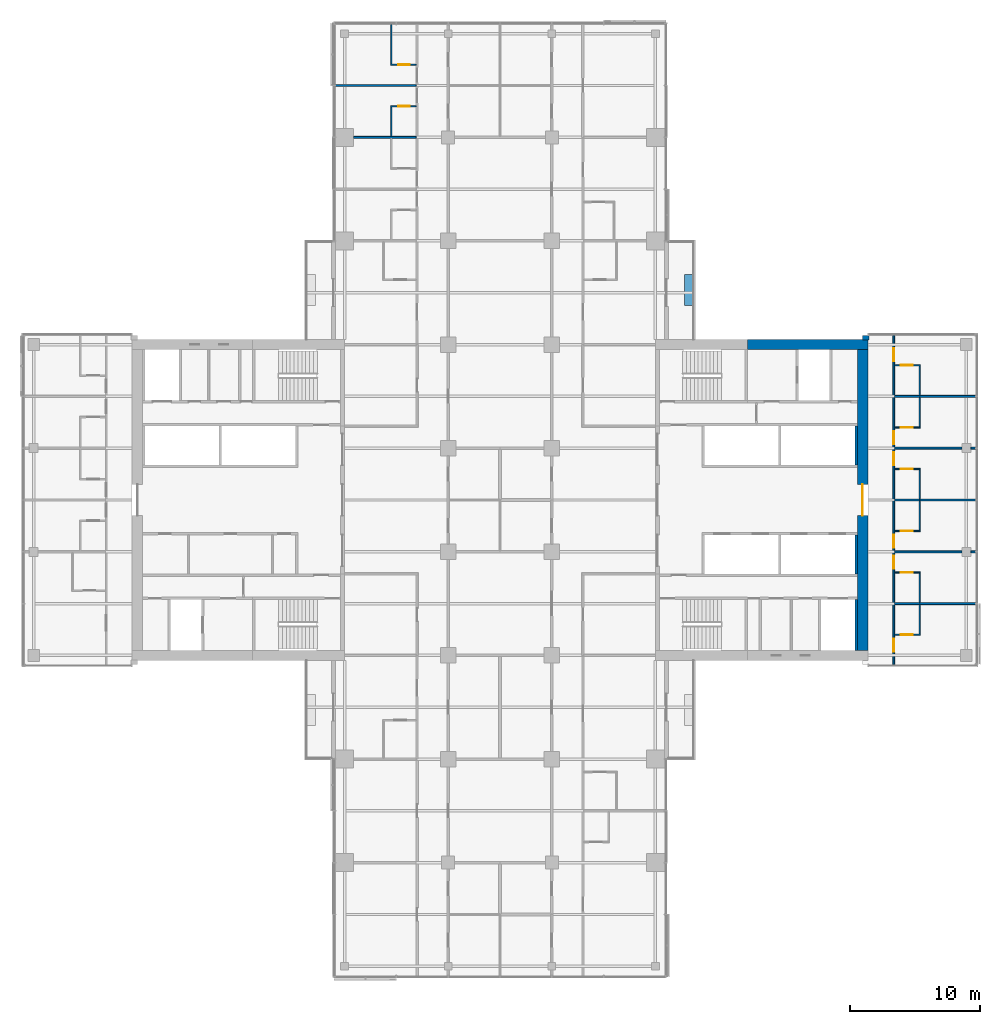
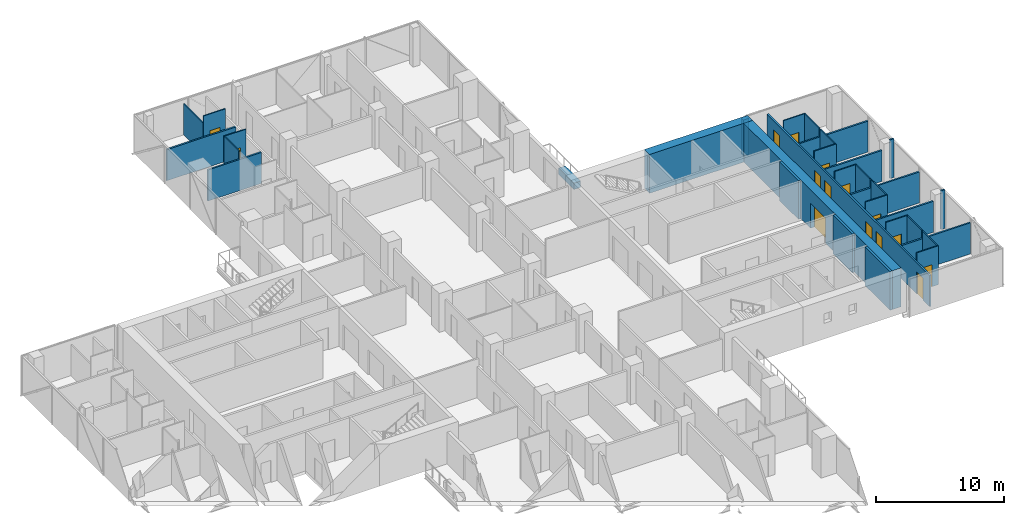
# One storey, part 21 of 27: 33 walls, 15 doors, 15 openings.
"""IFC4 building model written with IfcOpenShell, lengths in metres."""

from ifc_helpers import new_model, si_unit, direction, frame, frame_2d, origin, place, context, subcontext, project, spatial, rectangle, extrude, material, layer, layer_set, constituent, constituent_set, type_object, element, fill, save


model = new_model("IFC4")

# Units and contexts
model_context = context("Model", 3, precision=1e-05, world=origin(), true_north=direction((0.0, 1.0)))
body_context = subcontext(model_context, "Body", "Model", "MODEL_VIEW")
ifc_project = project(units=[si_unit("LENGTHUNIT", "METRE"), si_unit("AREAUNIT", "SQUARE_METRE"), si_unit("VOLUMEUNIT", "CUBIC_METRE"), si_unit("PLANEANGLEUNIT", "RADIAN"), si_unit("MASSUNIT", "GRAM", prefix="KILO")], contexts=[model_context])

# Site, building, storey
site_placement = place(None, origin())
site = spatial("IfcSite", under=ifc_project, at=site_placement, CompositionType="ELEMENT")
building_placement = place(site_placement, origin())
building = spatial("IfcBuilding", under=site, at=building_placement, Name="Crosswind Convention Tower", CompositionType="ELEMENT")
storey_placement = place(building_placement, frame((0.0, 0.0, 86.800048828125)))
storey = spatial("IfcBuildingStorey", under=building, at=storey_placement, Name="L16", CompositionType="ELEMENT", Elevation=86.800048828125)

# Wall, opening, door
ifc_material_1 = material(Name="Concrete C60/75", Category="concrete")
ifc_layer_1 = layer(ifc_material_1, 0.800048828125)
ifc_layer_set_1 = layer_set([ifc_layer_1], Name="Concrete C60/75")
wall_type_1 = type_object("IfcWallType", Name="Concrete core wall 800", PredefinedType="SHEAR", material=ifc_layer_set_1)
wall_1_placement = place(storey_placement, frame((153.0, 88.39990234375, 0.0), z_axis=(0.0, 0.0, 1.0), x_axis=(0.0, 1.0, 0.0)))
wall_1 = element("IfcWall", 1, at=wall_1_placement, inside=storey, type_object=wall_type_1, Name="Wall O E L16", PredefinedType="SHEAR", context=body_context, shape_type="SweptSolid", body=[
    extrude(rectangle(XDim=23.2001953125, YDim=0.800048828125, at=frame_2d((11.60009765625, 0.0))), origin(), (0.0, 0.0, 1.0), 3.699951171875),
])
opening_1_placement = place(wall_1_placement, frame((10.39990234375, 0.0, 0.0)))
opening_1 = element("IfcOpeningElement", 2, at=opening_1_placement, cuts=wall_1, Name="Opening D100", PredefinedType="OPENING", context=body_context, shape_type="SweptSolid", body=[
    extrude(rectangle(XDim=2.39990234375, YDim=2.39990234375, at=frame_2d((1.199951171875, 1.199951171875))), frame((0.0, 0.409912109375, 0.0), z_axis=(0.0, -1.0, 0.0), x_axis=(1.0, 0.0, 0.0)), (0.0, 0.0, 1.0), 0.820068359375),
])
ifc_material_2 = material(Name="Steel fire door with glazed vision panels", Category="steel")
door_type_1 = type_object("IfcDoorType", Name="Fire-rated double door 2400x2400", OperationType="DOUBLE_DOOR_SINGLE_SWING", PredefinedType="DOOR", material=ifc_material_2)
door_1_placement = place(opening_1_placement, origin())
door_1 = element("IfcDoor", 3, at=door_1_placement, inside=storey, type_object=door_type_1, Name="Lobby outer door L16", ObjectType="D100", OperationType="DOUBLE_DOOR_SINGLE_SWING", OverallHeight=2.39990234375, OverallWidth=2.39990234375, PredefinedType="DOOR", context=body_context, shape_type="SweptSolid", body=[
    extrude(rectangle(XDim=2.39990234375, YDim=2.39990234375, at=frame_2d((1.199951171875, 1.199951171875))), frame((0.0, 0.02490234375, 0.0), z_axis=(0.0, -1.0, 0.0), x_axis=(1.0, 0.0, 0.0)), (0.0, 0.0, 1.0), 0.050048828125),
])
fill(opening_1, door_1)

# Walls
ifc_material_3 = material(Name="Concrete C50/60", Category="concrete")
ifc_layer_2 = layer(ifc_material_3, 0.199951171875)
ifc_layer_set_2 = layer_set([ifc_layer_2], Name="Concrete C50/60")
wall_type_2 = type_object("IfcWallType", Name="Concrete shaft and stair wall 200", PredefinedType="SHEAR", material=ifc_layer_set_2)
for number, where, z_axis, x_axis, name in (
    (4, (152.5, 102.699951171875, 0.0), (0.0, 0.0, 1.0), (0.0, 1.0, 0.0), "Wall RPEAST E L16"),
    (5, (152.5, 94.300048828125, 0.0), (0.0, 0.0, 1.0), (0.0, 1.0, 0.0), "Wall RMEAST E L16"),
):
    element("IfcWall", number, at=place(storey_placement, frame(where, z_axis=z_axis, x_axis=x_axis)), inside=storey, type_object=wall_type_2, Name=name, PredefinedType="SHEAR", context=body_context, shape_type="SweptSolid", body=[
        extrude(rectangle(XDim=3.0, YDim=0.199951171875, at=frame_2d((1.5, 0.0))), origin(), (0.0, 0.0, 1.0), 3.699951171875),
    ])
wall_2_placement = place(storey_placement, frame((152.5, 88.39990234375, 0.0), z_axis=(0.0, 0.0, 1.0), x_axis=(0.0, 1.0, 0.0)))
element("IfcWall", 6, at=wall_2_placement, inside=storey, type_object=wall_type_2, Name="Wall MFSE E L16", PredefinedType="SHEAR", context=body_context, shape_type="SweptSolid", body=[
    extrude(rectangle(XDim=3.900146484375, YDim=0.199951171875, at=frame_2d((1.9501953125, 0.0))), origin(), (0.0, 0.0, 1.0), 3.699951171875),
])
ifc_material_4 = material(Name="Acoustic plasterboard partition", Category="gypsum")
ifc_layer_3 = layer(ifc_material_4, 0.14990234375)
ifc_layer_set_3 = layer_set([ifc_layer_3], Name="GUEST ROOM WALL 150")
wall_type_3 = type_object("IfcWallType", Name="GUEST ROOM WALL 150", PredefinedType="PARTITIONING", material=ifc_layer_set_3)
wall_3_placement = place(storey_placement, frame((155.47509765625, 92.0, 0.0), z_axis=(0.0, 0.0, 1.0), x_axis=(1.0, 0.0, 0.0)))
element("IfcWall", 7, at=wall_3_placement, inside=storey, type_object=wall_type_3, Name="Guest Room Wall 16", PredefinedType="PARTITIONING", context=body_context, shape_type="SweptSolid", body=[
    extrude(rectangle(XDim=6.224853515625, YDim=0.14990234375, at=frame_2d((3.1123046875, 0.0))), origin(), (0.0, 0.0, 1.0), 2.962646484375),
])
wall_4_placement = place(storey_placement, frame((155.47509765625, 96.0, 0.0), z_axis=(0.0, 0.0, 1.0), x_axis=(1.0, 0.0, 0.0)))
element("IfcWall", 8, at=wall_4_placement, inside=storey, type_object=wall_type_3, Name="Guest Room Wall 24", PredefinedType="PARTITIONING", context=body_context, shape_type="SweptSolid", body=[
    extrude(rectangle(XDim=5.1748046875, YDim=0.14990234375, at=frame_2d((2.58740234375, 0.0))), origin(), (0.0, 0.0, 1.0), 2.956298828125),
])
wall_5_placement = place(storey_placement, frame((161.35009765625, 96.0, 0.0), z_axis=(0.0, 0.0, 1.0), x_axis=(1.0, 0.0, 0.0)))
element("IfcWall", 9, at=wall_5_placement, inside=storey, type_object=wall_type_3, Name="Guest Room Wall 25", PredefinedType="PARTITIONING", context=body_context, shape_type="SweptSolid", body=[
    extrude(rectangle(XDim=0.349853515625, YDim=0.14990234375, at=frame_2d((0.1748046875, 0.0))), origin(), (0.0, 0.0, 1.0), 3.699951171875),
])
wall_6_placement = place(storey_placement, frame((155.47509765625, 100.0, 0.0), z_axis=(0.0, 0.0, 1.0), x_axis=(1.0, 0.0, 0.0)))
element("IfcWall", 10, at=wall_6_placement, inside=storey, type_object=wall_type_3, Name="Guest Room Wall 31", PredefinedType="PARTITIONING", context=body_context, shape_type="SweptSolid", body=[
    extrude(rectangle(XDim=6.224853515625, YDim=0.14990234375, at=frame_2d((3.1123046875, 0.0))), origin(), (0.0, 0.0, 1.0), 2.962646484375),
])
wall_7_placement = place(storey_placement, frame((155.47509765625, 104.0, 0.0), z_axis=(0.0, 0.0, 1.0), x_axis=(1.0, 0.0, 0.0)))
element("IfcWall", 11, at=wall_7_placement, inside=storey, type_object=wall_type_3, Name="Guest Room Wall 38", PredefinedType="PARTITIONING", context=body_context, shape_type="SweptSolid", body=[
    extrude(rectangle(XDim=5.1748046875, YDim=0.14990234375, at=frame_2d((2.58740234375, 0.0))), origin(), (0.0, 0.0, 1.0), 2.956298828125),
])
wall_8_placement = place(storey_placement, frame((161.35009765625, 104.0, 0.0), z_axis=(0.0, 0.0, 1.0), x_axis=(1.0, 0.0, 0.0)))
element("IfcWall", 12, at=wall_8_placement, inside=storey, type_object=wall_type_3, Name="Guest Room Wall 39", PredefinedType="PARTITIONING", context=body_context, shape_type="SweptSolid", body=[
    extrude(rectangle(XDim=0.349853515625, YDim=0.14990234375, at=frame_2d((0.1748046875, 0.0))), origin(), (0.0, 0.0, 1.0), 3.699951171875),
])
wall_9_placement = place(storey_placement, frame((155.47509765625, 108.0, 0.0), z_axis=(0.0, 0.0, 1.0), x_axis=(1.0, 0.0, 0.0)))
element("IfcWall", 13, at=wall_9_placement, inside=storey, type_object=wall_type_3, Name="Guest Room Wall 45", PredefinedType="PARTITIONING", context=body_context, shape_type="SweptSolid", body=[
    extrude(rectangle(XDim=6.224853515625, YDim=0.14990234375, at=frame_2d((3.1123046875, 0.0))), origin(), (0.0, 0.0, 1.0), 2.962646484375),
])
wall_10_placement = place(storey_placement, frame((113.699951171875, 128.0, 0.0), z_axis=(0.0, 0.0, 1.0), x_axis=(1.0, 0.0, 0.0)))
element("IfcWall", 14, at=wall_10_placement, inside=storey, type_object=wall_type_3, Name="Guest Room Wall 59", PredefinedType="PARTITIONING", context=body_context, shape_type="SweptSolid", body=[
    extrude(rectangle(XDim=4.824951171875, YDim=0.14990234375, at=frame_2d((2.41259765625, 0.0))), origin(), (0.0, 0.0, 1.0), 2.959716796875),
])
wall_11_placement = place(storey_placement, frame((112.300048828125, 132.0, 0.0), z_axis=(0.0, 0.0, 1.0), x_axis=(1.0, 0.0, 0.0)))
element("IfcWall", 15, at=wall_11_placement, inside=storey, type_object=wall_type_3, Name="Guest Room Wall 63", PredefinedType="PARTITIONING", context=body_context, shape_type="SweptSolid", body=[
    extrude(rectangle(XDim=6.224853515625, YDim=0.14990234375, at=frame_2d((3.1123046875, 0.0))), origin(), (0.0, 0.0, 1.0), 2.962646484375),
])

# Wall, openings, doors
wall_12_placement = place(storey_placement, frame((155.39990234375, 87.300048828125, 0.0), z_axis=(0.0, 0.0, 1.0), x_axis=(0.0, 1.0, 0.0)))
wall_12 = element("IfcWall", 16, at=wall_12_placement, inside=storey, type_object=wall_type_3, Name="Guest Room Wall 123", PredefinedType="PARTITIONING", context=body_context, shape_type="SweptSolid", body=[
    extrude(rectangle(XDim=25.39990234375, YDim=0.14990234375, at=frame_2d((12.699951171875, 0.0))), origin(), (0.0, 0.0, 1.0), 2.956298828125),
])
opening_2_placement = place(wall_12_placement, frame((1.0, 0.0, 0.0)))
opening_2 = element("IfcOpeningElement", 17, at=opening_2_placement, cuts=wall_12, Name="Opening 16.028", PredefinedType="OPENING", context=body_context, shape_type="SweptSolid", body=[
    extrude(rectangle(XDim=1.0, YDim=2.10009765625, at=frame_2d((0.5, 1.050048828125))), frame((0.0, 0.0849609375, 0.0), z_axis=(0.0, -1.0, 0.0), x_axis=(1.0, 0.0, 0.0)), (0.0, 0.0, 1.0), 0.169921875),
])
opening_3_placement = place(wall_12_placement, frame((7.39990234375, 0.0, 0.0)))
opening_3 = element("IfcOpeningElement", 18, at=opening_3_placement, cuts=wall_12, Name="Opening 16.030", PredefinedType="OPENING", context=body_context, shape_type="SweptSolid", body=[
    extrude(rectangle(XDim=1.0, YDim=2.10009765625, at=frame_2d((0.5, 1.050048828125))), frame((0.0, 0.0849609375, 0.0), z_axis=(0.0, -1.0, 0.0), x_axis=(1.0, 0.0, 0.0)), (0.0, 0.0, 1.0), 0.169921875),
])
opening_4_placement = place(wall_12_placement, frame((9.0, 0.0, 0.0)))
opening_4 = element("IfcOpeningElement", 19, at=opening_4_placement, cuts=wall_12, Name="Opening 16.032", PredefinedType="OPENING", context=body_context, shape_type="SweptSolid", body=[
    extrude(rectangle(XDim=1.0, YDim=2.10009765625, at=frame_2d((0.5, 1.050048828125))), frame((0.0, 0.0849609375, 0.0), z_axis=(0.0, -1.0, 0.0), x_axis=(1.0, 0.0, 0.0)), (0.0, 0.0, 1.0), 0.169921875),
])
opening_5_placement = place(wall_12_placement, frame((15.39990234375, 0.0, 0.0)))
opening_5 = element("IfcOpeningElement", 20, at=opening_5_placement, cuts=wall_12, Name="Opening 16.034", PredefinedType="OPENING", context=body_context, shape_type="SweptSolid", body=[
    extrude(rectangle(XDim=1.0, YDim=2.10009765625, at=frame_2d((0.5, 1.050048828125))), frame((0.0, 0.0849609375, 0.0), z_axis=(0.0, -1.0, 0.0), x_axis=(1.0, 0.0, 0.0)), (0.0, 0.0, 1.0), 0.169921875),
])
opening_6_placement = place(wall_12_placement, frame((17.0, 0.0, 0.0)))
opening_6 = element("IfcOpeningElement", 21, at=opening_6_placement, cuts=wall_12, Name="Opening 16.036", PredefinedType="OPENING", context=body_context, shape_type="SweptSolid", body=[
    extrude(rectangle(XDim=1.0, YDim=2.10009765625, at=frame_2d((0.5, 1.050048828125))), frame((0.0, 0.0849609375, 0.0), z_axis=(0.0, -1.0, 0.0), x_axis=(1.0, 0.0, 0.0)), (0.0, 0.0, 1.0), 0.169921875),
])
opening_7_placement = place(wall_12_placement, frame((23.39990234375, 0.0, 0.0)))
opening_7 = element("IfcOpeningElement", 22, at=opening_7_placement, cuts=wall_12, Name="Opening 16.038", PredefinedType="OPENING", context=body_context, shape_type="SweptSolid", body=[
    extrude(rectangle(XDim=1.0, YDim=2.10009765625, at=frame_2d((0.5, 1.050048828125))), frame((0.0, 0.0849609375, 0.0), z_axis=(0.0, -1.0, 0.0), x_axis=(1.0, 0.0, 0.0)), (0.0, 0.0, 1.0), 0.169921875),
])
ifc_material_5 = material(Name="Timber fire door", Category="wood")
door_type_2 = type_object("IfcDoorType", Name="GUEST ROOM DOOR 1000X2100", OperationType="NOTDEFINED", PredefinedType="DOOR", material=ifc_material_5)
door_2_placement = place(opening_2_placement, frame((1.0, 0.0, 0.0), z_axis=(0.0, 0.0, 1.0), x_axis=(-1.0, 0.0, 0.0)))
door_2 = element("IfcDoor", 23, at=door_2_placement, inside=storey, type_object=door_type_2, Name="Door 16.028", ObjectType="D1", OperationType="SINGLE_SWING_LEFT", OverallHeight=2.10009765625, OverallWidth=1.0, PredefinedType="DOOR", context=body_context, shape_type="SweptSolid", body=[
    extrude(rectangle(XDim=1.0, YDim=2.10009765625, at=frame_2d((0.5, 1.050048828125))), frame((0.0, 0.02490234375, 0.0), z_axis=(0.0, -1.0, 0.0), x_axis=(1.0, 0.0, 0.0)), (0.0, 0.0, 1.0), 0.050048828125),
])
fill(opening_2, door_2)
door_3_placement = place(opening_3_placement, frame((1.0, 0.0, 0.0), z_axis=(0.0, 0.0, 1.0), x_axis=(-1.0, 0.0, 0.0)))
door_3 = element("IfcDoor", 24, at=door_3_placement, inside=storey, type_object=door_type_2, Name="Door 16.030", ObjectType="D1", OperationType="SINGLE_SWING_LEFT", OverallHeight=2.10009765625, OverallWidth=1.0, PredefinedType="DOOR", context=body_context, shape_type="SweptSolid", body=[
    extrude(rectangle(XDim=1.0, YDim=2.10009765625, at=frame_2d((0.5, 1.050048828125))), frame((0.0, 0.02490234375, 0.0), z_axis=(0.0, -1.0, 0.0), x_axis=(1.0, 0.0, 0.0)), (0.0, 0.0, 1.0), 0.050048828125),
])
fill(opening_3, door_3)
door_4_placement = place(opening_4_placement, frame((1.0, 0.0, 0.0), z_axis=(0.0, 0.0, 1.0), x_axis=(-1.0, 0.0, 0.0)))
door_4 = element("IfcDoor", 25, at=door_4_placement, inside=storey, type_object=door_type_2, Name="Door 16.032", ObjectType="D1", OperationType="SINGLE_SWING_LEFT", OverallHeight=2.10009765625, OverallWidth=1.0, PredefinedType="DOOR", context=body_context, shape_type="SweptSolid", body=[
    extrude(rectangle(XDim=1.0, YDim=2.10009765625, at=frame_2d((0.5, 1.050048828125))), frame((0.0, 0.02490234375, 0.0), z_axis=(0.0, -1.0, 0.0), x_axis=(1.0, 0.0, 0.0)), (0.0, 0.0, 1.0), 0.050048828125),
])
fill(opening_4, door_4)
door_5_placement = place(opening_5_placement, frame((1.0, 0.0, 0.0), z_axis=(0.0, 0.0, 1.0), x_axis=(-1.0, 0.0, 0.0)))
door_5 = element("IfcDoor", 26, at=door_5_placement, inside=storey, type_object=door_type_2, Name="Door 16.034", ObjectType="D1", OperationType="SINGLE_SWING_LEFT", OverallHeight=2.10009765625, OverallWidth=1.0, PredefinedType="DOOR", context=body_context, shape_type="SweptSolid", body=[
    extrude(rectangle(XDim=1.0, YDim=2.10009765625, at=frame_2d((0.5, 1.050048828125))), frame((0.0, 0.02490234375, 0.0), z_axis=(0.0, -1.0, 0.0), x_axis=(1.0, 0.0, 0.0)), (0.0, 0.0, 1.0), 0.050048828125),
])
fill(opening_5, door_5)
door_6_placement = place(opening_6_placement, frame((1.0, 0.0, 0.0), z_axis=(0.0, 0.0, 1.0), x_axis=(-1.0, 0.0, 0.0)))
door_6 = element("IfcDoor", 27, at=door_6_placement, inside=storey, type_object=door_type_2, Name="Door 16.036", ObjectType="D1", OperationType="SINGLE_SWING_LEFT", OverallHeight=2.10009765625, OverallWidth=1.0, PredefinedType="DOOR", context=body_context, shape_type="SweptSolid", body=[
    extrude(rectangle(XDim=1.0, YDim=2.10009765625, at=frame_2d((0.5, 1.050048828125))), frame((0.0, 0.02490234375, 0.0), z_axis=(0.0, -1.0, 0.0), x_axis=(1.0, 0.0, 0.0)), (0.0, 0.0, 1.0), 0.050048828125),
])
fill(opening_6, door_6)
door_7_placement = place(opening_7_placement, frame((1.0, 0.0, 0.0), z_axis=(0.0, 0.0, 1.0), x_axis=(-1.0, 0.0, 0.0)))
door_7 = element("IfcDoor", 28, at=door_7_placement, inside=storey, type_object=door_type_2, Name="Door 16.038", ObjectType="D1", OperationType="SINGLE_SWING_RIGHT", OverallHeight=2.10009765625, OverallWidth=1.0, PredefinedType="DOOR", context=body_context, shape_type="SweptSolid", body=[
    extrude(rectangle(XDim=1.0, YDim=2.10009765625, at=frame_2d((0.5, 1.050048828125))), frame((0.0, 0.02490234375, 0.0), z_axis=(0.0, -1.0, 0.0), x_axis=(1.0, 0.0, 0.0)), (0.0, 0.0, 1.0), 0.050048828125),
])
fill(opening_7, door_7)

# Walls
ifc_material_6 = material(Name="Concrete C30/37", Category="concrete")
ifc_layer_4 = layer(ifc_material_6, 0.60009765625)
ifc_layer_set_4 = layer_set([ifc_layer_4], Name="Concrete C30/37")
wall_type_4 = type_object("IfcWallType", Name="PLANTER BOX WALL 600", PredefinedType="SOLIDWALL", material=ifc_layer_set_4)
wall_13_placement = place(storey_placement, frame((139.550048828125, 115.0, 0.0), z_axis=(0.0, 0.0, 1.0), x_axis=(0.0, 1.0, 0.0)))
element("IfcWall", 29, at=wall_13_placement, inside=storey, type_object=wall_type_4, Name="PLANTER L16 N-E.1-1", PredefinedType="SOLIDWALL", context=body_context, shape_type="SweptSolid", body=[
    extrude(rectangle(XDim=2.39990234375, YDim=0.60009765625, at=frame_2d((1.199951171875, 0.0))), origin(), (0.0, 0.0, 1.0), 0.599853515625),
])
ifc_material_7 = material(Name="Terracotta rainscreen", Category="ceramic")
ifc_layer_5 = layer(ifc_material_7, 0.02001953125)
ifc_material_8 = material(Name="Mineral wool insulation", Category="insulation")
ifc_layer_6 = layer(ifc_material_8, 0.10009765625)
ifc_material_9 = material(Name="Concrete blockwork", Category="masonry")
ifc_layer_7 = layer(ifc_material_9, 0.236083984375)
ifc_layer_set_5 = layer_set([ifc_layer_5, ifc_layer_6, ifc_layer_7], Name="TERRACOTTA CORNER INFILL WALL 356")
wall_type_5 = type_object("IfcWallType", Name="TERRACOTTA CORNER INFILL WALL 356", PredefinedType="SOLIDWALL", material=ifc_layer_set_5)
wall_14_placement = place(storey_placement, frame((153.0, 112.52197265625, 0.0), z_axis=(0.0, 0.0, 1.0), x_axis=(1.0, 0.0, 0.0)))
element("IfcWall", 30, at=wall_14_placement, inside=storey, type_object=wall_type_5, Name="Core corner infill wall L16 1", PredefinedType="SOLIDWALL", context=body_context, shape_type="SweptSolid", body=[
    extrude(rectangle(XDim=0.5048828125, YDim=0.35595703125, at=frame_2d((0.25244140625, 0.0))), origin(), (0.0, 0.0, 1.0), 3.419921875),
])
ifc_constituent_1 = constituent(ifc_material_1, Name="Structure")
ifc_constituent_2 = constituent(ifc_material_7, Name="Facing")
ifc_constituent_set = constituent_set(constituents=[ifc_constituent_1, ifc_constituent_2], Name="Concrete C60/75, Terracotta rainscreen")
wall_type_6 = type_object("IfcWallType", Name="Terracotta rainscreen on concrete core wall 800", PredefinedType="SHEAR", material=ifc_constituent_set)
wall_15_placement = place(storey_placement, frame((144.10009765625, 112.0, 0.0), z_axis=(0.0, 0.0, 1.0), x_axis=(1.0, 0.0, 0.0)))
element("IfcWall", 31, at=wall_15_placement, inside=storey, type_object=wall_type_6, Name="Wall N2 E L16", PredefinedType="SHEAR", context=body_context, shape_type="SweptSolid", body=[
    extrude(rectangle(XDim=9.2998046875, YDim=0.800048828125, at=frame_2d((4.64990234375, 0.0))), origin(), (0.0, 0.0, 1.0), 3.699951171875),
])

# Wall, opening, door
ifc_material_10 = material(Name="Water-resistant plasterboard partition", Category="gypsum")
ifc_layer_8 = layer(ifc_material_10, 0.10009765625)
ifc_layer_set_6 = layer_set([ifc_layer_8], Name="WET ROOM PARTITION 100")
wall_type_7 = type_object("IfcWallType", Name="WET ROOM PARTITION 100", PredefinedType="PLUMBINGWALL", material=ifc_layer_set_6)
wall_16_placement = place(storey_placement, frame((155.47509765625, 89.60009765625, 0.0), z_axis=(0.0, 0.0, 1.0), x_axis=(1.0, 0.0, 0.0)))
wall_16 = element("IfcWall", 32, at=wall_16_placement, inside=storey, type_object=wall_type_7, Name="Wet Room Partition 15", PredefinedType="PLUMBINGWALL", context=body_context, shape_type="SweptSolid", body=[
    extrude(rectangle(XDim=1.974853515625, YDim=0.10009765625, at=frame_2d((0.9873046875, 0.0))), origin(), (0.0, 0.0, 1.0), 3.699951171875),
])
opening_8_placement = place(wall_16_placement, frame((0.47509765625, 0.0, 0.0)))
opening_8 = element("IfcOpeningElement", 33, at=opening_8_placement, cuts=wall_16, Name="Opening 16.029", PredefinedType="OPENING", context=body_context, shape_type="SweptSolid", body=[
    extrude(rectangle(XDim=0.89990234375, YDim=2.10009765625, at=frame_2d((0.449951171875, 1.050048828125))), frame((0.0, 0.06005859375, 0.0), z_axis=(0.0, -1.0, 0.0), x_axis=(1.0, 0.0, 0.0)), (0.0, 0.0, 1.0), 0.1201171875),
])
ifc_material_11 = material(Name="Timber door", Category="wood")
door_type_3 = type_object("IfcDoorType", Name="EN-SUITE DOOR 900X2100", OperationType="NOTDEFINED", PredefinedType="DOOR", material=ifc_material_11)
door_8_placement = place(opening_8_placement, origin())
door_8 = element("IfcDoor", 34, at=door_8_placement, inside=storey, type_object=door_type_3, Name="Door 16.029", ObjectType="D2", OperationType="SINGLE_SWING_RIGHT", OverallHeight=2.10009765625, OverallWidth=0.89990234375, PredefinedType="DOOR", context=body_context, shape_type="SweptSolid", body=[
    extrude(rectangle(XDim=0.89990234375, YDim=2.10009765625, at=frame_2d((0.449951171875, 1.050048828125))), frame((0.0, 0.02490234375, 0.0), z_axis=(0.0, -1.0, 0.0), x_axis=(1.0, 0.0, 0.0)), (0.0, 0.0, 1.0), 0.050048828125),
])
fill(opening_8, door_8)

wall_17_placement = place(storey_placement, frame((155.47509765625, 94.39990234375, 0.0), z_axis=(0.0, 0.0, 1.0), x_axis=(1.0, 0.0, 0.0)))
wall_17 = element("IfcWall", 35, at=wall_17_placement, inside=storey, type_object=wall_type_7, Name="Wet Room Partition 20", PredefinedType="PLUMBINGWALL", context=body_context, shape_type="SweptSolid", body=[
    extrude(rectangle(XDim=1.974853515625, YDim=0.10009765625, at=frame_2d((0.9873046875, 0.0))), origin(), (0.0, 0.0, 1.0), 3.699951171875),
])
opening_9_placement = place(wall_17_placement, frame((0.47509765625, 0.0, 0.0)))
opening_9 = element("IfcOpeningElement", 36, at=opening_9_placement, cuts=wall_17, Name="Opening 16.031", PredefinedType="OPENING", context=body_context, shape_type="SweptSolid", body=[
    extrude(rectangle(XDim=0.89990234375, YDim=2.10009765625, at=frame_2d((0.449951171875, 1.050048828125))), frame((0.0, 0.06005859375, 0.0), z_axis=(0.0, -1.0, 0.0), x_axis=(1.0, 0.0, 0.0)), (0.0, 0.0, 1.0), 0.1201171875),
])
door_9_placement = place(opening_9_placement, frame((0.89990234375, 0.0, 0.0), z_axis=(0.0, 0.0, 1.0), x_axis=(-1.0, 0.0, 0.0)))
door_9 = element("IfcDoor", 37, at=door_9_placement, inside=storey, type_object=door_type_3, Name="Door 16.031", ObjectType="D2", OperationType="SINGLE_SWING_LEFT", OverallHeight=2.10009765625, OverallWidth=0.89990234375, PredefinedType="DOOR", context=body_context, shape_type="SweptSolid", body=[
    extrude(rectangle(XDim=0.89990234375, YDim=2.10009765625, at=frame_2d((0.449951171875, 1.050048828125))), frame((0.0, 0.02490234375, 0.0), z_axis=(0.0, -1.0, 0.0), x_axis=(1.0, 0.0, 0.0)), (0.0, 0.0, 1.0), 0.050048828125),
])
fill(opening_9, door_9)

wall_18_placement = place(storey_placement, frame((155.47509765625, 97.60009765625, 0.0), z_axis=(0.0, 0.0, 1.0), x_axis=(1.0, 0.0, 0.0)))
wall_18 = element("IfcWall", 38, at=wall_18_placement, inside=storey, type_object=wall_type_7, Name="Wet Room Partition 26", PredefinedType="PLUMBINGWALL", context=body_context, shape_type="SweptSolid", body=[
    extrude(rectangle(XDim=1.974853515625, YDim=0.10009765625, at=frame_2d((0.9873046875, 0.0))), origin(), (0.0, 0.0, 1.0), 3.699951171875),
])
opening_10_placement = place(wall_18_placement, frame((0.47509765625, 0.0, 0.0)))
opening_10 = element("IfcOpeningElement", 39, at=opening_10_placement, cuts=wall_18, Name="Opening 16.033", PredefinedType="OPENING", context=body_context, shape_type="SweptSolid", body=[
    extrude(rectangle(XDim=0.89990234375, YDim=2.10009765625, at=frame_2d((0.449951171875, 1.050048828125))), frame((0.0, 0.06005859375, 0.0), z_axis=(0.0, -1.0, 0.0), x_axis=(1.0, 0.0, 0.0)), (0.0, 0.0, 1.0), 0.1201171875),
])
door_10_placement = place(opening_10_placement, origin())
door_10 = element("IfcDoor", 40, at=door_10_placement, inside=storey, type_object=door_type_3, Name="Door 16.033", ObjectType="D2", OperationType="SINGLE_SWING_RIGHT", OverallHeight=2.10009765625, OverallWidth=0.89990234375, PredefinedType="DOOR", context=body_context, shape_type="SweptSolid", body=[
    extrude(rectangle(XDim=0.89990234375, YDim=2.10009765625, at=frame_2d((0.449951171875, 1.050048828125))), frame((0.0, 0.02490234375, 0.0), z_axis=(0.0, -1.0, 0.0), x_axis=(1.0, 0.0, 0.0)), (0.0, 0.0, 1.0), 0.050048828125),
])
fill(opening_10, door_10)

wall_19_placement = place(storey_placement, frame((155.47509765625, 102.39990234375, 0.0), z_axis=(0.0, 0.0, 1.0), x_axis=(1.0, 0.0, 0.0)))
wall_19 = element("IfcWall", 41, at=wall_19_placement, inside=storey, type_object=wall_type_7, Name="Wet Room Partition 33", PredefinedType="PLUMBINGWALL", context=body_context, shape_type="SweptSolid", body=[
    extrude(rectangle(XDim=1.974853515625, YDim=0.10009765625, at=frame_2d((0.9873046875, 0.0))), origin(), (0.0, 0.0, 1.0), 3.699951171875),
])
opening_11_placement = place(wall_19_placement, frame((0.47509765625, 0.0, 0.0)))
opening_11 = element("IfcOpeningElement", 42, at=opening_11_placement, cuts=wall_19, Name="Opening 16.035", PredefinedType="OPENING", context=body_context, shape_type="SweptSolid", body=[
    extrude(rectangle(XDim=0.89990234375, YDim=2.10009765625, at=frame_2d((0.449951171875, 1.050048828125))), frame((0.0, 0.06005859375, 0.0), z_axis=(0.0, -1.0, 0.0), x_axis=(1.0, 0.0, 0.0)), (0.0, 0.0, 1.0), 0.1201171875),
])
door_11_placement = place(opening_11_placement, frame((0.89990234375, 0.0, 0.0), z_axis=(0.0, 0.0, 1.0), x_axis=(-1.0, 0.0, 0.0)))
door_11 = element("IfcDoor", 43, at=door_11_placement, inside=storey, type_object=door_type_3, Name="Door 16.035", ObjectType="D2", OperationType="SINGLE_SWING_LEFT", OverallHeight=2.10009765625, OverallWidth=0.89990234375, PredefinedType="DOOR", context=body_context, shape_type="SweptSolid", body=[
    extrude(rectangle(XDim=0.89990234375, YDim=2.10009765625, at=frame_2d((0.449951171875, 1.050048828125))), frame((0.0, 0.02490234375, 0.0), z_axis=(0.0, -1.0, 0.0), x_axis=(1.0, 0.0, 0.0)), (0.0, 0.0, 1.0), 0.050048828125),
])
fill(opening_11, door_11)

wall_20_placement = place(storey_placement, frame((155.47509765625, 105.60009765625, 0.0), z_axis=(0.0, 0.0, 1.0), x_axis=(1.0, 0.0, 0.0)))
wall_20 = element("IfcWall", 44, at=wall_20_placement, inside=storey, type_object=wall_type_7, Name="Wet Room Partition 40", PredefinedType="PLUMBINGWALL", context=body_context, shape_type="SweptSolid", body=[
    extrude(rectangle(XDim=1.974853515625, YDim=0.10009765625, at=frame_2d((0.9873046875, 0.0))), origin(), (0.0, 0.0, 1.0), 3.699951171875),
])
opening_12_placement = place(wall_20_placement, frame((0.47509765625, 0.0, 0.0)))
opening_12 = element("IfcOpeningElement", 45, at=opening_12_placement, cuts=wall_20, Name="Opening 16.037", PredefinedType="OPENING", context=body_context, shape_type="SweptSolid", body=[
    extrude(rectangle(XDim=0.89990234375, YDim=2.10009765625, at=frame_2d((0.449951171875, 1.050048828125))), frame((0.0, 0.06005859375, 0.0), z_axis=(0.0, -1.0, 0.0), x_axis=(1.0, 0.0, 0.0)), (0.0, 0.0, 1.0), 0.1201171875),
])
door_12_placement = place(opening_12_placement, origin())
door_12 = element("IfcDoor", 46, at=door_12_placement, inside=storey, type_object=door_type_3, Name="Door 16.037", ObjectType="D2", OperationType="SINGLE_SWING_RIGHT", OverallHeight=2.10009765625, OverallWidth=0.89990234375, PredefinedType="DOOR", context=body_context, shape_type="SweptSolid", body=[
    extrude(rectangle(XDim=0.89990234375, YDim=2.10009765625, at=frame_2d((0.449951171875, 1.050048828125))), frame((0.0, 0.02490234375, 0.0), z_axis=(0.0, -1.0, 0.0), x_axis=(1.0, 0.0, 0.0)), (0.0, 0.0, 1.0), 0.050048828125),
])
fill(opening_12, door_12)

wall_21_placement = place(storey_placement, frame((155.47509765625, 110.39990234375, 0.0), z_axis=(0.0, 0.0, 1.0), x_axis=(1.0, 0.0, 0.0)))
wall_21 = element("IfcWall", 47, at=wall_21_placement, inside=storey, type_object=wall_type_7, Name="Wet Room Partition 47", PredefinedType="PLUMBINGWALL", context=body_context, shape_type="SweptSolid", body=[
    extrude(rectangle(XDim=1.974853515625, YDim=0.10009765625, at=frame_2d((0.9873046875, 0.0))), origin(), (0.0, 0.0, 1.0), 3.699951171875),
])
opening_13_placement = place(wall_21_placement, frame((0.47509765625, 0.0, 0.0)))
opening_13 = element("IfcOpeningElement", 48, at=opening_13_placement, cuts=wall_21, Name="Opening 16.039", PredefinedType="OPENING", context=body_context, shape_type="SweptSolid", body=[
    extrude(rectangle(XDim=0.89990234375, YDim=2.10009765625, at=frame_2d((0.449951171875, 1.050048828125))), frame((0.0, 0.06005859375, 0.0), z_axis=(0.0, -1.0, 0.0), x_axis=(1.0, 0.0, 0.0)), (0.0, 0.0, 1.0), 0.1201171875),
])
door_13_placement = place(opening_13_placement, frame((0.89990234375, 0.0, 0.0), z_axis=(0.0, 0.0, 1.0), x_axis=(-1.0, 0.0, 0.0)))
door_13 = element("IfcDoor", 49, at=door_13_placement, inside=storey, type_object=door_type_3, Name="Door 16.039", ObjectType="D2", OperationType="SINGLE_SWING_LEFT", OverallHeight=2.10009765625, OverallWidth=0.89990234375, PredefinedType="DOOR", context=body_context, shape_type="SweptSolid", body=[
    extrude(rectangle(XDim=0.89990234375, YDim=2.10009765625, at=frame_2d((0.449951171875, 1.050048828125))), frame((0.0, 0.02490234375, 0.0), z_axis=(0.0, -1.0, 0.0), x_axis=(1.0, 0.0, 0.0)), (0.0, 0.0, 1.0), 0.050048828125),
])
fill(opening_13, door_13)

wall_22_placement = place(storey_placement, frame((116.550048828125, 130.39990234375, 0.0), z_axis=(0.0, 0.0, 1.0), x_axis=(1.0, 0.0, 0.0)))
wall_22 = element("IfcWall", 50, at=wall_22_placement, inside=storey, type_object=wall_type_7, Name="Wet Room Partition 62", PredefinedType="PLUMBINGWALL", context=body_context, shape_type="SweptSolid", body=[
    extrude(rectangle(XDim=1.974853515625, YDim=0.10009765625, at=frame_2d((0.9873046875, 0.0))), origin(), (0.0, 0.0, 1.0), 3.699951171875),
])
opening_14_placement = place(wall_22_placement, frame((0.60009765625, 0.0, 0.0)))
opening_14 = element("IfcOpeningElement", 51, at=opening_14_placement, cuts=wall_22, Name="Opening 16.017", PredefinedType="OPENING", context=body_context, shape_type="SweptSolid", body=[
    extrude(rectangle(XDim=0.89990234375, YDim=2.10009765625, at=frame_2d((0.449951171875, 1.050048828125))), frame((0.0, 0.06005859375, 0.0), z_axis=(0.0, -1.0, 0.0), x_axis=(1.0, 0.0, 0.0)), (0.0, 0.0, 1.0), 0.1201171875),
])
door_14_placement = place(opening_14_placement, frame((0.89990234375, 0.0, 0.0), z_axis=(0.0, 0.0, 1.0), x_axis=(-1.0, 0.0, 0.0)))
door_14 = element("IfcDoor", 52, at=door_14_placement, inside=storey, type_object=door_type_3, Name="Door 16.017", ObjectType="D2", OperationType="SINGLE_SWING_LEFT", OverallHeight=2.10009765625, OverallWidth=0.89990234375, PredefinedType="DOOR", context=body_context, shape_type="SweptSolid", body=[
    extrude(rectangle(XDim=0.89990234375, YDim=2.10009765625, at=frame_2d((0.449951171875, 1.050048828125))), frame((0.0, 0.02490234375, 0.0), z_axis=(0.0, -1.0, 0.0), x_axis=(1.0, 0.0, 0.0)), (0.0, 0.0, 1.0), 0.050048828125),
])
fill(opening_14, door_14)

wall_23_placement = place(storey_placement, frame((116.550048828125, 133.60009765625, 0.0), z_axis=(0.0, 0.0, 1.0), x_axis=(1.0, 0.0, 0.0)))
wall_23 = element("IfcWall", 53, at=wall_23_placement, inside=storey, type_object=wall_type_7, Name="Wet Room Partition 65", PredefinedType="PLUMBINGWALL", context=body_context, shape_type="SweptSolid", body=[
    extrude(rectangle(XDim=1.974853515625, YDim=0.10009765625, at=frame_2d((0.9873046875, 0.0))), origin(), (0.0, 0.0, 1.0), 3.699951171875),
])
opening_15_placement = place(wall_23_placement, frame((0.60009765625, 0.0, 0.0)))
opening_15 = element("IfcOpeningElement", 54, at=opening_15_placement, cuts=wall_23, Name="Opening 16.019", PredefinedType="OPENING", context=body_context, shape_type="SweptSolid", body=[
    extrude(rectangle(XDim=0.89990234375, YDim=2.10009765625, at=frame_2d((0.449951171875, 1.050048828125))), frame((0.0, 0.06005859375, 0.0), z_axis=(0.0, -1.0, 0.0), x_axis=(1.0, 0.0, 0.0)), (0.0, 0.0, 1.0), 0.1201171875),
])
door_15_placement = place(opening_15_placement, origin())
door_15 = element("IfcDoor", 55, at=door_15_placement, inside=storey, type_object=door_type_3, Name="Door 16.019", ObjectType="D2", OperationType="SINGLE_SWING_RIGHT", OverallHeight=2.10009765625, OverallWidth=0.89990234375, PredefinedType="DOOR", context=body_context, shape_type="SweptSolid", body=[
    extrude(rectangle(XDim=0.89990234375, YDim=2.10009765625, at=frame_2d((0.449951171875, 1.050048828125))), frame((0.0, 0.02490234375, 0.0), z_axis=(0.0, -1.0, 0.0), x_axis=(1.0, 0.0, 0.0)), (0.0, 0.0, 1.0), 0.050048828125),
])
fill(opening_15, door_15)

# Walls
wall_24_placement = place(storey_placement, frame((116.60009765625, 128.074951171875, 0.0), z_axis=(0.0, 0.0, 1.0), x_axis=(0.0, 1.0, 0.0)))
element("IfcWall", 56, at=wall_24_placement, inside=storey, type_object=wall_type_7, Name="Wet Room Partition 76", PredefinedType="PLUMBINGWALL", context=body_context, shape_type="SweptSolid", body=[
    extrude(rectangle(XDim=2.275146484375, YDim=0.10009765625, at=frame_2d((1.1376953125, 0.0))), origin(), (0.0, 0.0, 1.0), 3.699951171875),
])
wall_25_placement = place(storey_placement, frame((116.60009765625, 133.64990234375, 0.0), z_axis=(0.0, 0.0, 1.0), x_axis=(0.0, 1.0, 0.0)))
element("IfcWall", 57, at=wall_25_placement, inside=storey, type_object=wall_type_7, Name="Wet Room Partition 77", PredefinedType="PLUMBINGWALL", context=body_context, shape_type="SweptSolid", body=[
    extrude(rectangle(XDim=3.050048828125, YDim=0.10009765625, at=frame_2d((1.52490234375, 0.0))), origin(), (0.0, 0.0, 1.0), 2.962646484375),
])
for number, where, z_axis, x_axis, name in (
    (58, (157.39990234375, 89.64990234375, 0.0), (0.0, 0.0, 1.0), (0.0, 1.0, 0.0), "Wet Room Partition 124"),
    (59, (157.39990234375, 92.074951171875, 0.0), (0.0, 0.0, 1.0), (0.0, 1.0, 0.0), "Wet Room Partition 125"),
    (60, (157.39990234375, 97.64990234375, 0.0), (0.0, 0.0, 1.0), (0.0, 1.0, 0.0), "Wet Room Partition 126"),
    (61, (157.39990234375, 100.074951171875, 0.0), (0.0, 0.0, 1.0), (0.0, 1.0, 0.0), "Wet Room Partition 127"),
    (62, (157.39990234375, 105.64990234375, 0.0), (0.0, 0.0, 1.0), (0.0, 1.0, 0.0), "Wet Room Partition 128"),
    (63, (157.39990234375, 108.074951171875, 0.0), (0.0, 0.0, 1.0), (0.0, 1.0, 0.0), "Wet Room Partition 129"),
):
    element("IfcWall", number, at=place(storey_placement, frame(where, z_axis=z_axis, x_axis=x_axis)), inside=storey, type_object=wall_type_7, Name=name, PredefinedType="PLUMBINGWALL", context=body_context, shape_type="SweptSolid", body=[
        extrude(rectangle(XDim=2.275146484375, YDim=0.10009765625, at=frame_2d((1.1376953125, 0.0))), origin(), (0.0, 0.0, 1.0), 3.699951171875),
    ])

save(model, "model.ifc")
